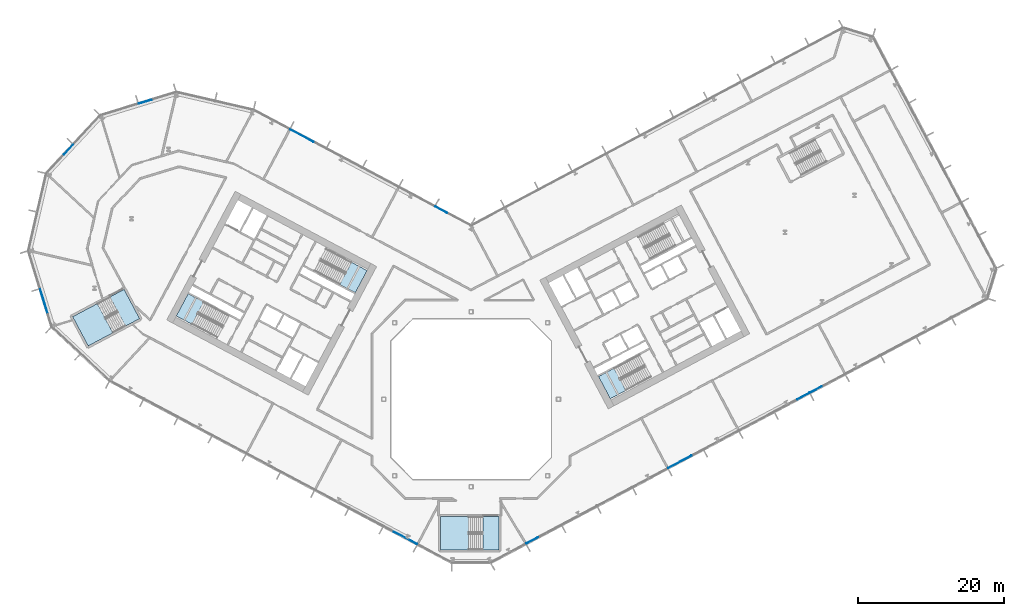
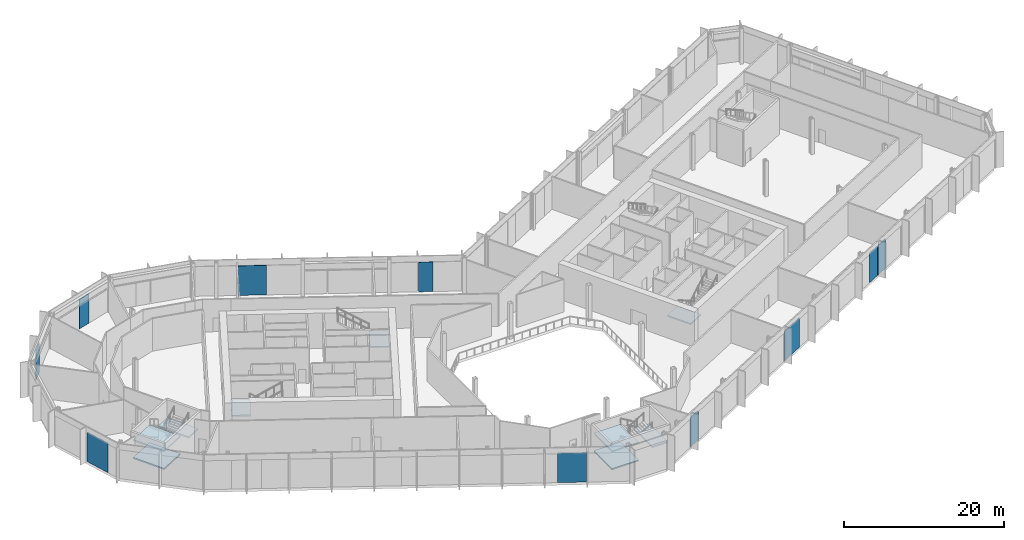
# One storey, part 9 of 31: 10 plates, 9 slabs, 11 elements without a shape of their own.
"""IFC4 building model written with IfcOpenShell, lengths in metres."""

from ifc_helpers import new_model, si_unit, direction, frame, origin, origin_2d, place, context, subcontext, project, spatial, polyline, rectangle, outline, extrude, material, layer, layer_set, type_object, element, aggregate, save


model = new_model("IFC4")

# Units and contexts
model_context = context("Model", 3, precision=1e-05, world=origin(), true_north=direction((0.0, 1.0)))
body_context = subcontext(model_context, "Body", "Model", "MODEL_VIEW")
ifc_project = project(units=[si_unit("LENGTHUNIT", "METRE"), si_unit("AREAUNIT", "SQUARE_METRE"), si_unit("VOLUMEUNIT", "CUBIC_METRE"), si_unit("PLANEANGLEUNIT", "RADIAN"), si_unit("MASSUNIT", "GRAM", prefix="KILO")], contexts=[model_context])

# Site, building, storey
site_placement = place(None, origin())
site = spatial("IfcSite", under=ifc_project, at=site_placement, CompositionType="ELEMENT")
building_placement = place(site_placement, origin())
building = spatial("IfcBuilding", under=site, at=building_placement, Name="Cormorant Relay Tower", CompositionType="ELEMENT")
storey_placement = place(building_placement, frame((0.0, 0.0, 12.199951171875)))
storey = spatial("IfcBuildingStorey", under=building, at=storey_placement, Name="L02", CompositionType="ELEMENT", Elevation=12.199951171875)

# Curtain wall, plates
ifc_material_1 = material(Name="Aluminium 6063-T6 anodised bronze", Category="aluminium")
ifc_layer_1 = layer(ifc_material_1, 0.235107421875)
ifc_layer_set_1 = layer_set([ifc_layer_1], Name="CW6 data hall curtain wall with mineral wool panels")
curtain_wall_type = type_object("IfcCurtainWallType", Name="CW6 data hall curtain wall with mineral wool panels", PredefinedType="NOTDEFINED", material=ifc_layer_set_1)
curtain_wall_1_placement = place(storey_placement, origin())
curtain_wall_1 = element("IfcCurtainWall", 1, at=curtain_wall_1_placement, inside=storey, type_object=curtain_wall_type, Name="CW6 curtain wall 2", PredefinedType="NOTDEFINED")
ifc_material_2 = material(Name="Tinted triple-glazed laminated unit")
ifc_layer_2 = layer(ifc_material_2, 0.074951171875)
ifc_layer_set_2 = layer_set([ifc_layer_2], Name="CW6 triple-glazed vision unit 1800 module")
plate_type_1 = type_object("IfcPlateType", Name="CW6 triple-glazed vision unit 1800 module", PredefinedType="CURTAIN_PANEL", material=ifc_layer_set_2)
plate_1_placement = place(storey_placement, frame((8.39404296875, -19.36328125, 0.0), z_axis=(0.0, 0.0, 1.0), x_axis=(0.882947592859, 0.469471562786, 0.0)))
plate_1 = element("IfcPlate", 2, at=plate_1_placement, type_object=plate_type_1, Name="CW6 panel V01", PredefinedType="CURTAIN_PANEL", context=body_context, shape_type="SweptSolid", body=[
    extrude(rectangle(XDim=1.800048828125, YDim=0.074951171875, at=origin_2d()), origin(), (0.0, 0.0, 1.0), 4.5),
])
plate_2_placement = place(storey_placement, frame((45.605712890625, 0.422607421875, 0.0), z_axis=(0.0, 0.0, 1.0), x_axis=(0.882947592859, 0.469471562786, 0.0)))
plate_2 = element("IfcPlate", 3, at=plate_2_placement, type_object=plate_type_1, Name="CW6 panel V08", PredefinedType="CURTAIN_PANEL", context=body_context, shape_type="SweptSolid", body=[
    extrude(rectangle(XDim=1.800048828125, YDim=0.074951171875, at=origin_2d()), origin(), (0.0, 0.0, 1.0), 4.5),
])
plate_3_placement = place(storey_placement, frame((47.327392578125, 1.337890625, 0.0), z_axis=(0.0, 0.0, 1.0), x_axis=(0.882947592859, 0.469471562786, 0.0)))
plate_3 = element("IfcPlate", 4, at=plate_3_placement, type_object=plate_type_1, Name="CW6 panel V09", PredefinedType="CURTAIN_PANEL", context=body_context, shape_type="SweptSolid", body=[
    extrude(rectangle(XDim=1.800048828125, YDim=0.074951171875, at=origin_2d()), origin(), (0.0, 0.0, 1.0), 4.5),
])

# Curtain wall, plate
curtain_wall_2_placement = place(storey_placement, origin())
curtain_wall_2 = element("IfcCurtainWall", 5, at=curtain_wall_2_placement, inside=storey, type_object=curtain_wall_type, Name="CW6 curtain wall 7", PredefinedType="NOTDEFINED")
plate_4_placement = place(storey_placement, frame((-4.1005859375, 26.006591796875, 0.0), z_axis=(0.0, 0.0, 1.0), x_axis=(-0.882947592859, 0.469471562786, 0.0)))
plate_4 = element("IfcPlate", 6, at=plate_4_placement, type_object=plate_type_1, Name="CW6 panel V01", PredefinedType="CURTAIN_PANEL", context=body_context, shape_type="SweptSolid", body=[
    extrude(rectangle(XDim=1.800048828125, YDim=0.074951171875, at=origin_2d()), origin(), (0.0, 0.0, 1.0), 4.5),
])

curtain_wall_3_placement = place(storey_placement, origin())
curtain_wall_3 = element("IfcCurtainWall", 7, at=curtain_wall_3_placement, inside=storey, type_object=curtain_wall_type, Name="CW6 curtain wall 9", PredefinedType="NOTDEFINED")
plate_5_placement = place(storey_placement, frame((-44.74169921875, 40.84521484375, 0.0), z_axis=(0.0, 0.0, 1.0), x_axis=(-0.956304755963, -0.292371704723, 0.0)))
plate_5 = element("IfcPlate", 8, at=plate_5_placement, type_object=plate_type_1, Name="CW6 panel V01", PredefinedType="CURTAIN_PANEL", context=body_context, shape_type="SweptSolid", body=[
    extrude(rectangle(XDim=1.800048828125, YDim=0.074951171875, at=origin_2d()), origin(), (0.0, 0.0, 1.0), 4.5),
])
aggregate(curtain_wall_3, [plate_5])

curtain_wall_4_placement = place(storey_placement, origin())
curtain_wall_4 = element("IfcCurtainWall", 9, at=curtain_wall_4_placement, inside=storey, type_object=curtain_wall_type, Name="CW6 curtain wall 10", PredefinedType="NOTDEFINED")
plate_6_placement = place(storey_placement, frame((-55.260009765625, 34.272705078125, 0.0), z_axis=(0.0, 0.0, 1.0), x_axis=(-0.681998360062, -0.731353701619, 0.0)))
plate_6 = element("IfcPlate", 10, at=plate_6_placement, type_object=plate_type_1, Name="CW6 panel V01", PredefinedType="CURTAIN_PANEL", context=body_context, shape_type="SweptSolid", body=[
    extrude(rectangle(XDim=1.800048828125, YDim=0.074951171875, at=origin_2d()), origin(), (0.0, 0.0, 1.0), 4.5),
])
aggregate(curtain_wall_4, [plate_6])

# Plate
ifc_material_3 = material(Name="Tinted triple-glazed laminated unit")
ifc_layer_3 = layer(ifc_material_3, 0.074951171875)
ifc_layer_set_3 = layer_set([ifc_layer_3], Name="CW6 triple-glazed vision unit 3600 module")
plate_type_2 = type_object("IfcPlateType", Name="CW6 triple-glazed vision unit 3600 module", PredefinedType="CURTAIN_PANEL", material=ifc_layer_set_3)
plate_7_placement = place(storey_placement, frame((28.6552734375, -8.590087890625, 0.0), z_axis=(0.0, 0.0, 1.0), x_axis=(0.882947592859, 0.469471562786, 0.0)))
plate_7 = element("IfcPlate", 11, at=plate_7_placement, type_object=plate_type_2, Name="CW6 panel V05", PredefinedType="CURTAIN_PANEL", context=body_context, shape_type="SweptSolid", body=[
    extrude(rectangle(XDim=3.60009765625, YDim=0.074951171875, at=origin_2d()), origin(), (0.0, 0.0, 1.0), 4.5),
])

aggregate(curtain_wall_1, [plate_1, plate_7, plate_2, plate_3])

plate_8_placement = place(storey_placement, frame((-23.2216796875, 36.173583984375, 0.0), z_axis=(0.0, 0.0, 1.0), x_axis=(-0.882947592859, 0.469471562786, 0.0)))
plate_8 = element("IfcPlate", 12, at=plate_8_placement, type_object=plate_type_2, Name="CW6 panel V05", PredefinedType="CURTAIN_PANEL", context=body_context, shape_type="SweptSolid", body=[
    extrude(rectangle(XDim=3.60009765625, YDim=0.074951171875, at=origin_2d()), origin(), (0.0, 0.0, 1.0), 4.5),
])

aggregate(curtain_wall_2, [plate_4, plate_8])

# Curtain wall, plate
curtain_wall_5_placement = place(storey_placement, origin())
curtain_wall_5 = element("IfcCurtainWall", 13, at=curtain_wall_5_placement, inside=storey, type_object=curtain_wall_type, Name="CW6 curtain wall 12", PredefinedType="NOTDEFINED")
plate_9_placement = place(storey_placement, frame((-58.618408203125, 13.3916015625, 0.0), z_axis=(0.0, 0.0, 1.0), x_axis=(0.292371704723, -0.956304755963, 0.0)))
plate_9 = element("IfcPlate", 14, at=plate_9_placement, type_object=plate_type_2, Name="CW6 panel V01", PredefinedType="CURTAIN_PANEL", context=body_context, shape_type="SweptSolid", body=[
    extrude(rectangle(XDim=3.60009765625, YDim=0.074951171875, at=origin_2d()), origin(), (0.0, 0.0, 1.0), 4.5),
])
aggregate(curtain_wall_5, [plate_9])

curtain_wall_6_placement = place(storey_placement, origin())
curtain_wall_6 = element("IfcCurtainWall", 15, at=curtain_wall_6_placement, inside=storey, type_object=curtain_wall_type, Name="CW6 curtain wall 14", PredefinedType="NOTDEFINED")
plate_10_placement = place(storey_placement, frame((-9.01611328125, -19.032470703125, 0.0), z_axis=(0.0, 0.0, 1.0), x_axis=(0.882947592859, -0.469471562786, 0.0)))
plate_10 = element("IfcPlate", 16, at=plate_10_placement, type_object=plate_type_2, Name="CW6 panel V08", PredefinedType="CURTAIN_PANEL", context=body_context, shape_type="SweptSolid", body=[
    extrude(rectangle(XDim=3.60009765625, YDim=0.074951171875, at=origin_2d()), origin(), (0.0, 0.0, 1.0), 4.5),
])
aggregate(curtain_wall_6, [plate_10])

# Stair, slab
ifc_material_4 = material(Name="Concrete 40 MPa", Category="concrete")
stair_type_1 = type_object("IfcStairType", Name="Exit stair 1500", PredefinedType="HALF_TURN_STAIR", material=ifc_material_4)
stair_1_placement = place(storey_placement, origin())
stair_1 = element("IfcStair", 17, at=stair_1_placement, inside=storey, type_object=stair_type_1, Name="L02 Stair", PredefinedType="HALF_TURN_STAIR")
ifc_material_5 = material(Name="Concrete 40 MPa", Category="concrete")
ifc_layer_4 = layer(ifc_material_5, 0.199951171875)
ifc_layer_set_4 = layer_set([ifc_layer_4], Name="Exit stair landing 200")
slab_type = type_object("IfcSlabType", Name="Exit stair landing 200", PredefinedType="LANDING", material=ifc_layer_set_4)
slab_1_placement = place(storey_placement, frame((0.0, 0.0, 2.5)))
slab_1 = element("IfcSlab", 18, at=slab_1_placement, type_object=slab_type, Name="A1 landing 1", PredefinedType="LANDING", context=body_context, shape_type="SweptSolid", body=[
    extrude(outline(polyline([(-18.04052734375, 15.764892578125), (-15.89501953125, 14.6240234375), (-14.275390625, 17.670166015625), (-16.4208984375, 18.81103515625), (-18.04052734375, 15.764892578125)])), origin(), (0.0, 0.0, 1.0), 0.199951171875),
])
aggregate(stair_1, [slab_1])

stair_2_placement = place(storey_placement, origin())
stair_2 = element("IfcStair", 19, at=stair_2_placement, inside=storey, type_object=stair_type_1, Name="L02 Stair", PredefinedType="HALF_TURN_STAIR")
slab_2_placement = place(storey_placement, frame((0.0, 0.0, 2.5)))
slab_2 = element("IfcSlab", 20, at=slab_2_placement, type_object=slab_type, Name="A2 landing 1", PredefinedType="LANDING", context=body_context, shape_type="SweptSolid", body=[
    extrude(outline(polyline([(-36.7021484375, 13.34228515625), (-38.84765625, 14.483154296875), (-40.467529296875, 11.43701171875), (-38.32177734375, 10.296142578125), (-36.7021484375, 13.34228515625)])), origin(), (0.0, 0.0, 1.0), 0.199951171875),
])
aggregate(stair_2, [slab_2])

stair_3_placement = place(storey_placement, origin())
stair_3 = element("IfcStair", 21, at=stair_3_placement, inside=storey, type_object=stair_type_1, Name="L02 Stair", PredefinedType="HALF_TURN_STAIR")
slab_3_placement = place(storey_placement, frame((0.0, 0.0, 2.5)))
slab_3 = element("IfcSlab", 22, at=slab_3_placement, type_object=slab_type, Name="B1 landing 1", PredefinedType="LANDING", context=body_context, shape_type="SweptSolid", body=[
    extrude(outline(polyline([(19.6259765625, 4.262939453125), (17.48046875, 3.1220703125), (19.10009765625, 0.075927734375), (21.24560546875, 1.216552734375), (19.6259765625, 4.262939453125)])), origin(), (0.0, 0.0, 1.0), 0.199951171875),
])
aggregate(stair_3, [slab_3])

# Stair, slabs
ifc_material_6 = material(Name="Concrete 40 MPa", Category="concrete")
stair_type_2 = type_object("IfcStairType", Name="Remote exit stair 2200", PredefinedType="HALF_TURN_STAIR", material=ifc_material_6)
stair_4_placement = place(storey_placement, origin())
stair_4 = element("IfcStair", 23, at=stair_4_placement, inside=storey, type_object=stair_type_2, Name="L02 Stair", PredefinedType="HALF_TURN_STAIR")
slab_4_placement = place(storey_placement, frame((0.0, 0.0, 1.150146484375)))
slab_4 = element("IfcSlab", 24, at=slab_4_placement, type_object=slab_type, Name="RK1 landing 1", PredefinedType="LANDING", context=body_context, shape_type="SweptSolid", body=[
    extrude(outline(polyline([(-0.360107421875, -16.125), (-4.199951171875, -16.125), (-4.199951171875, -20.675048828125), (-0.360107421875, -20.675048828125), (-0.360107421875, -16.125)])), origin(), (0.0, 0.0, 1.0), 0.199951171875),
])
slab_5_placement = place(storey_placement, frame((0.0, 0.0, 2.5)))
slab_5 = element("IfcSlab", 25, at=slab_5_placement, type_object=slab_type, Name="RK1 landing 2", PredefinedType="LANDING", context=body_context, shape_type="SweptSolid", body=[
    extrude(outline(polyline([(3.800048828125, -16.125), (1.60009765625, -16.125), (1.60009765625, -20.675048828125), (3.800048828125, -20.675048828125), (3.800048828125, -16.125)])), origin(), (0.0, 0.0, 1.0), 0.199951171875),
])
slab_6_placement = place(storey_placement, frame((0.0, 0.0, 3.85009765625)))
slab_6 = element("IfcSlab", 26, at=slab_6_placement, type_object=slab_type, Name="RK1 landing 3", PredefinedType="LANDING", context=body_context, shape_type="SweptSolid", body=[
    extrude(outline(polyline([(-0.360107421875, -16.125), (-4.199951171875, -16.125), (-4.199951171875, -20.675048828125), (-0.360107421875, -20.675048828125), (-0.360107421875, -16.125)])), origin(), (0.0, 0.0, 1.0), 0.199951171875),
])
aggregate(stair_4, [slab_4, slab_5, slab_6])

stair_5_placement = place(storey_placement, origin())
stair_5 = element("IfcStair", 27, at=stair_5_placement, inside=storey, type_object=stair_type_2, Name="L02 Stair", PredefinedType="HALF_TURN_STAIR")
slab_7_placement = place(storey_placement, frame((0.0, 0.0, 1.150146484375)))
slab_7 = element("IfcSlab", 28, at=slab_7_placement, type_object=slab_type, Name="RP1 landing 1", PredefinedType="LANDING", context=body_context, shape_type="SweptSolid", body=[
    extrude(outline(polyline([(-51.309326171875, 13.133544921875), (-54.699951171875, 11.330810546875), (-52.563720703125, 7.3134765625), (-49.17333984375, 9.1162109375), (-51.309326171875, 13.133544921875)])), origin(), (0.0, 0.0, 1.0), 0.199951171875),
])
slab_8_placement = place(storey_placement, frame((0.0, 0.0, 2.5)))
slab_8 = element("IfcSlab", 29, at=slab_8_placement, type_object=slab_type, Name="RP1 landing 2", PredefinedType="LANDING", context=body_context, shape_type="SweptSolid", body=[
    extrude(outline(polyline([(-47.63623046875, 15.086669921875), (-49.578857421875, 14.0537109375), (-47.442626953125, 10.036376953125), (-45.500244140625, 11.069091796875), (-47.63623046875, 15.086669921875)])), origin(), (0.0, 0.0, 1.0), 0.199951171875),
])
slab_9_placement = place(storey_placement, frame((0.0, 0.0, 3.85009765625)))
slab_9 = element("IfcSlab", 30, at=slab_9_placement, type_object=slab_type, Name="RP1 landing 3", PredefinedType="LANDING", context=body_context, shape_type="SweptSolid", body=[
    extrude(outline(polyline([(-51.309326171875, 13.133544921875), (-54.699951171875, 11.330810546875), (-52.563720703125, 7.3134765625), (-49.17333984375, 9.1162109375), (-51.309326171875, 13.133544921875)])), origin(), (0.0, 0.0, 1.0), 0.199951171875),
])
aggregate(stair_5, [slab_7, slab_8, slab_9])

save(model, "model.ifc")
